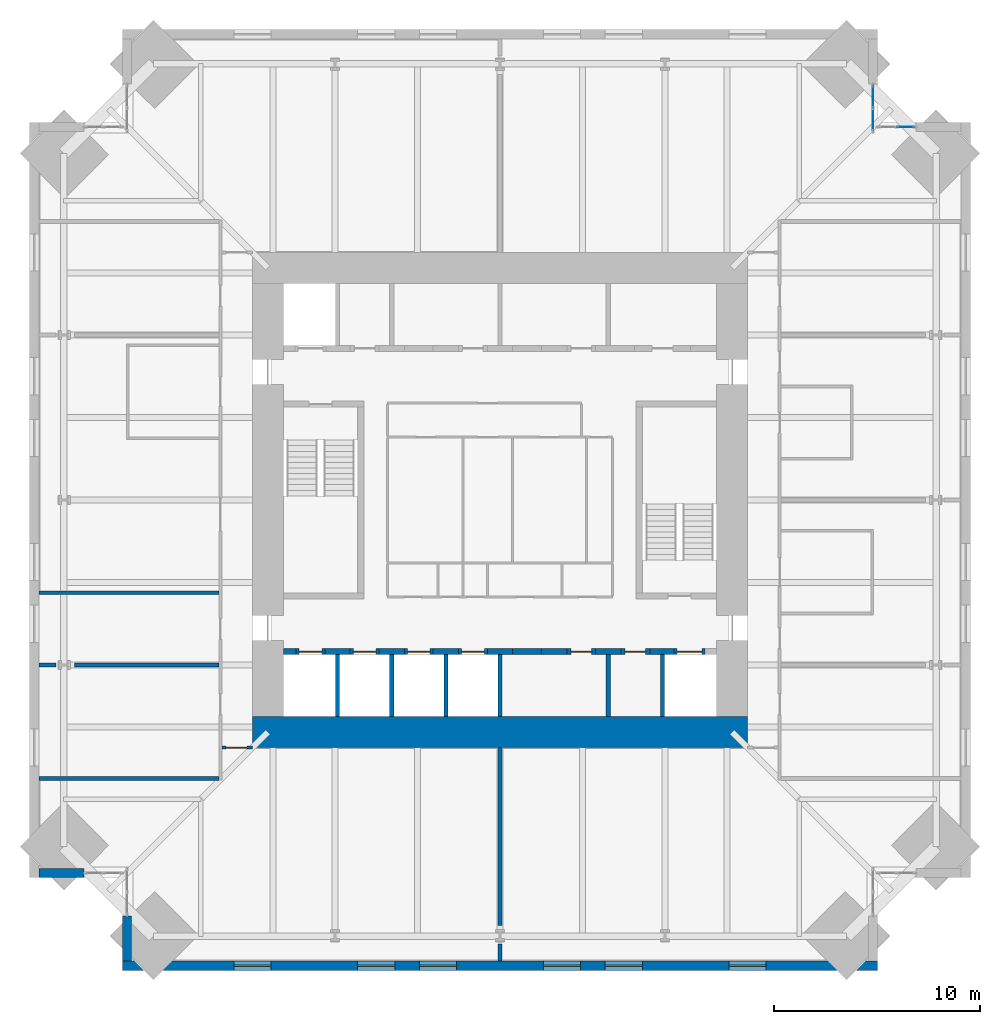
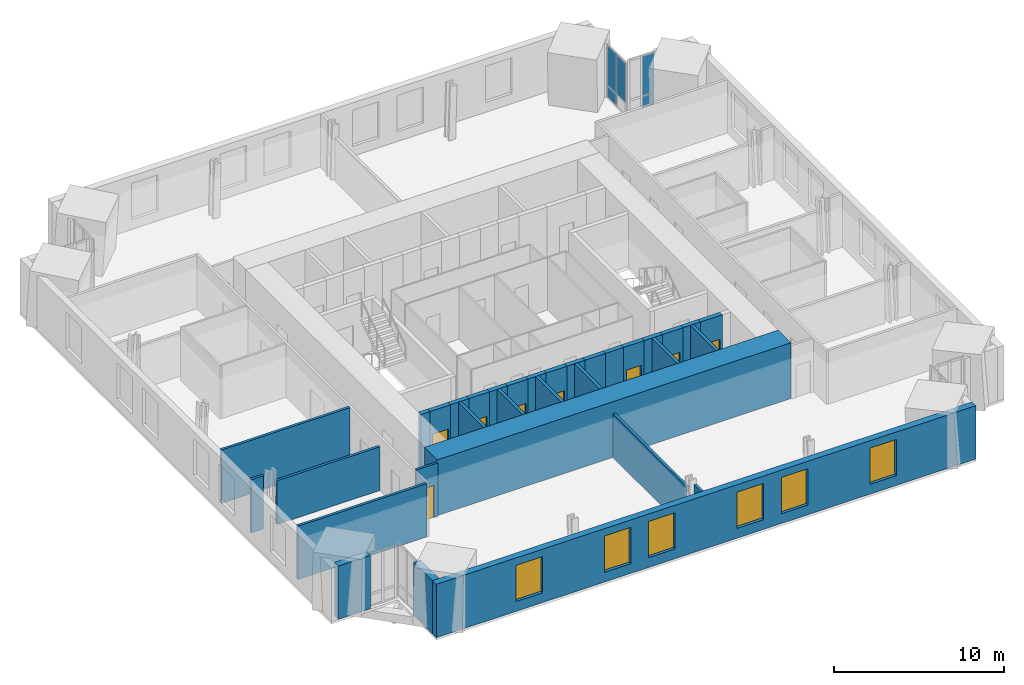
# One storey, part 10 of 15: 33 walls, 8 doors, 6 windows, 5 plates, 14 openings, 2 elements without a shape of their own.
"""IFC4 building model written with IfcOpenShell, lengths in metres."""

from ifc_helpers import new_model, si_unit, direction, frame, frame_2d, origin, origin_2d, place, context, subcontext, project, spatial, rectangle, extrude, material, layer, layer_set, type_object, element, fill, aggregate, save


model = new_model("IFC4")

# Units and contexts
model_context = context("Model", 3, precision=1e-05, world=origin(), true_north=direction((0.0, 1.0)))
body_context = subcontext(model_context, "Body", "Model", "MODEL_VIEW")
ifc_project = project(units=[si_unit("LENGTHUNIT", "METRE"), si_unit("AREAUNIT", "SQUARE_METRE"), si_unit("VOLUMEUNIT", "CUBIC_METRE"), si_unit("PLANEANGLEUNIT", "RADIAN"), si_unit("MASSUNIT", "GRAM", prefix="KILO")], contexts=[model_context])

# Site, building, storey
site_placement = place(None, origin())
site = spatial("IfcSite", under=ifc_project, at=site_placement, CompositionType="ELEMENT")
building_placement = place(site_placement, origin())
building = spatial("IfcBuilding", under=site, at=building_placement, Name="Peilmerk Tower", CompositionType="ELEMENT")
storey_placement = place(building_placement, frame((0.0, 0.0, 241.800048828125)))
storey = spatial("IfcBuildingStorey", under=building, at=storey_placement, Name="L53", CompositionType="ELEMENT", Elevation=241.800048828125)

# Curtain wall, plates
ifc_material_1 = material(Name="Aluminium stick curtain wall", Category="aluminium")
curtain_wall_type = type_object("IfcCurtainWallType", Name="CW4 stick curtain wall, 2250 module", PredefinedType="NOTDEFINED", material=ifc_material_1)
curtain_wall_1_placement = place(storey_placement, origin())
curtain_wall_1 = element("IfcCurtainWall", 1, at=curtain_wall_1_placement, inside=storey, type_object=curtain_wall_type, Name="Curtain wall CW4 NEA L53", PredefinedType="NOTDEFINED")
ifc_material_2 = material(Name="Clear insulated glazing unit", Category="glass")
ifc_layer_1 = layer(ifc_material_2, 0.028076171875)
ifc_layer_set_1 = layer_set([ifc_layer_1], Name="Clear insulated glazing unit")
plate_type = type_object("IfcPlateType", Name="CW4-P 28 glazed panel", PredefinedType="CURTAIN_PANEL", material=ifc_layer_set_1)
plate_1_placement = place(storey_placement, frame((18.074951171875, 18.4384765625, 0.932373046875), z_axis=(0.0, 0.0, 1.0), x_axis=(0.0, 1.0, 0.0)))
plate_1 = element("IfcPlate", 2, at=plate_1_placement, type_object=plate_type, Name="CW4 panel 1.2", PredefinedType="CURTAIN_PANEL", context=body_context, shape_type="SweptSolid", body=[
    extrude(rectangle(XDim=1.046875, YDim=0.028076171875, at=origin_2d()), origin(), (0.0, 0.0, 1.0), 2.83251953125),
])
plate_2_placement = place(storey_placement, frame((18.074951171875, 19.55029296875, 0.06494140625), z_axis=(0.0, 0.0, 1.0), x_axis=(0.0, 1.0, 0.0)))
plate_2 = element("IfcPlate", 3, at=plate_2_placement, type_object=plate_type, Name="CW4 panel 2.1", PredefinedType="CURTAIN_PANEL", context=body_context, shape_type="SweptSolid", body=[
    extrude(rectangle(XDim=1.046875, YDim=0.028076171875, at=origin_2d()), origin(), (0.0, 0.0, 1.0), 0.802490234375),
])
plate_3_placement = place(storey_placement, frame((18.074951171875, 19.55029296875, 0.932373046875), z_axis=(0.0, 0.0, 1.0), x_axis=(0.0, 1.0, 0.0)))
plate_3 = element("IfcPlate", 4, at=plate_3_placement, type_object=plate_type, Name="CW4 panel 2.2", PredefinedType="CURTAIN_PANEL", context=body_context, shape_type="SweptSolid", body=[
    extrude(rectangle(XDim=1.046875, YDim=0.028076171875, at=origin_2d()), origin(), (0.0, 0.0, 1.0), 2.83251953125),
])
aggregate(curtain_wall_1, [plate_1, plate_2, plate_3])

curtain_wall_2_placement = place(storey_placement, origin())
curtain_wall_2 = element("IfcCurtainWall", 5, at=curtain_wall_2_placement, inside=storey, type_object=curtain_wall_type, Name="Curtain wall CW4 NEB L53", PredefinedType="NOTDEFINED")
plate_4_placement = place(storey_placement, frame((19.662841796875, 18.074951171875, 0.06494140625), z_axis=(0.0, 0.0, 1.0), x_axis=(1.0, 0.0, 0.0)))
plate_4 = element("IfcPlate", 6, at=plate_4_placement, type_object=plate_type, Name="CW4 panel 2.1", PredefinedType="CURTAIN_PANEL", context=body_context, shape_type="SweptSolid", body=[
    extrude(rectangle(XDim=0.82177734375, YDim=0.028076171875, at=origin_2d()), origin(), (0.0, 0.0, 1.0), 0.802490234375),
])
plate_5_placement = place(storey_placement, frame((19.662841796875, 18.074951171875, 0.932373046875), z_axis=(0.0, 0.0, 1.0), x_axis=(1.0, 0.0, 0.0)))
plate_5 = element("IfcPlate", 7, at=plate_5_placement, type_object=plate_type, Name="CW4 panel 2.2", PredefinedType="CURTAIN_PANEL", context=body_context, shape_type="SweptSolid", body=[
    extrude(rectangle(XDim=0.82177734375, YDim=0.028076171875, at=origin_2d()), origin(), (0.0, 0.0, 1.0), 2.83251953125),
])
aggregate(curtain_wall_2, [plate_4, plate_5])

# Wall, openings, windows
ifc_material_3 = material(Name="Precast concrete C45/55, board-marked finish", Category="concrete")
ifc_layer_2 = layer(ifc_material_3, 0.449951171875)
ifc_layer_set_2 = layer_set([ifc_layer_2], Name="Precast concrete C45/55, board-marked finish")
wall_type_1 = type_object("IfcWallType", Name="EW1 450 precast concrete facade wall, board-marked", PredefinedType="SOLIDWALL", material=ifc_layer_set_2)
wall_1_placement = place(storey_placement, frame((-18.300048828125, -22.574951171875, 0.0), z_axis=(0.0, 0.0, 1.0), x_axis=(1.0, 0.0, 0.0)))
wall_1 = element("IfcWall", 8, at=wall_1_placement, inside=storey, type_object=wall_type_1, Name="Facade wall S L53", PredefinedType="SOLIDWALL", context=body_context, shape_type="SweptSolid", body=[
    extrude(rectangle(XDim=36.60009765625, YDim=0.449951171875, at=frame_2d((18.300048828125, 0.0))), origin(), (0.0, 0.0, 1.0), 3.829833984375),
])
opening_1_placement = place(wall_1_placement, frame((5.39990234375, 0.0, 0.699951171875)))
opening_1 = element("IfcOpeningElement", 9, at=opening_1_placement, cuts=wall_1, Name="Opening W1", PredefinedType="OPENING", context=body_context, shape_type="SweptSolid", body=[
    extrude(rectangle(XDim=1.800048828125, YDim=2.60009765625, at=frame_2d((0.89990234375, 1.300048828125))), frame((0.0, 0.23486328125, 0.0), z_axis=(0.0, -1.0, 0.0), x_axis=(1.0, 0.0, 0.0)), (0.0, 0.0, 1.0), 0.469970703125),
])
opening_2_placement = place(wall_1_placement, frame((11.39990234375, 0.0, 0.699951171875)))
opening_2 = element("IfcOpeningElement", 10, at=opening_2_placement, cuts=wall_1, Name="Opening W1", PredefinedType="OPENING", context=body_context, shape_type="SweptSolid", body=[
    extrude(rectangle(XDim=1.800048828125, YDim=2.60009765625, at=frame_2d((0.89990234375, 1.300048828125))), frame((0.0, 0.23486328125, 0.0), z_axis=(0.0, -1.0, 0.0), x_axis=(1.0, 0.0, 0.0)), (0.0, 0.0, 1.0), 0.469970703125),
])
opening_3_placement = place(wall_1_placement, frame((14.39990234375, 0.0, 0.699951171875)))
opening_3 = element("IfcOpeningElement", 11, at=opening_3_placement, cuts=wall_1, Name="Opening W1", PredefinedType="OPENING", context=body_context, shape_type="SweptSolid", body=[
    extrude(rectangle(XDim=1.800048828125, YDim=2.60009765625, at=frame_2d((0.89990234375, 1.300048828125))), frame((0.0, 0.23486328125, 0.0), z_axis=(0.0, -1.0, 0.0), x_axis=(1.0, 0.0, 0.0)), (0.0, 0.0, 1.0), 0.469970703125),
])
opening_4_placement = place(wall_1_placement, frame((20.39990234375, 0.0, 0.699951171875)))
opening_4 = element("IfcOpeningElement", 12, at=opening_4_placement, cuts=wall_1, Name="Opening W1", PredefinedType="OPENING", context=body_context, shape_type="SweptSolid", body=[
    extrude(rectangle(XDim=1.800048828125, YDim=2.60009765625, at=frame_2d((0.89990234375, 1.300048828125))), frame((0.0, 0.23486328125, 0.0), z_axis=(0.0, -1.0, 0.0), x_axis=(1.0, 0.0, 0.0)), (0.0, 0.0, 1.0), 0.469970703125),
])
opening_5_placement = place(wall_1_placement, frame((23.39990234375, 0.0, 0.699951171875)))
opening_5 = element("IfcOpeningElement", 13, at=opening_5_placement, cuts=wall_1, Name="Opening W1", PredefinedType="OPENING", context=body_context, shape_type="SweptSolid", body=[
    extrude(rectangle(XDim=1.800048828125, YDim=2.60009765625, at=frame_2d((0.89990234375, 1.300048828125))), frame((0.0, 0.23486328125, 0.0), z_axis=(0.0, -1.0, 0.0), x_axis=(1.0, 0.0, 0.0)), (0.0, 0.0, 1.0), 0.469970703125),
])
opening_6_placement = place(wall_1_placement, frame((29.39990234375, 0.0, 0.699951171875)))
opening_6 = element("IfcOpeningElement", 14, at=opening_6_placement, cuts=wall_1, Name="Opening W1", PredefinedType="OPENING", context=body_context, shape_type="SweptSolid", body=[
    extrude(rectangle(XDim=1.800048828125, YDim=2.60009765625, at=frame_2d((0.89990234375, 1.300048828125))), frame((0.0, 0.23486328125, 0.0), z_axis=(0.0, -1.0, 0.0), x_axis=(1.0, 0.0, 0.0)), (0.0, 0.0, 1.0), 0.469970703125),
])
ifc_material_4 = material(Name="Aluminium frame, clear double glazing", Category="aluminium")
window_type = type_object("IfcWindowType", Name="W1 1800x2600 office window", PartitioningType="SINGLE_PANEL", PredefinedType="WINDOW", material=ifc_material_4)
window_1_placement = place(opening_1_placement, origin())
window_1 = element("IfcWindow", 15, at=window_1_placement, inside=storey, type_object=window_type, Name="Window W1 L53", OverallHeight=2.60009765625, OverallWidth=1.800048828125, PartitioningType="SINGLE_PANEL", PredefinedType="WINDOW", context=body_context, shape_type="SweptSolid", body=[
    extrude(rectangle(XDim=1.800048828125, YDim=2.60009765625, at=frame_2d((0.89990234375, 1.300048828125))), frame((0.0, 0.030029296875, 0.0), z_axis=(0.0, -1.0, 0.0), x_axis=(1.0, 0.0, 0.0)), (0.0, 0.0, 1.0), 0.06005859375),
])
fill(opening_1, window_1)
window_2_placement = place(opening_2_placement, origin())
window_2 = element("IfcWindow", 16, at=window_2_placement, inside=storey, type_object=window_type, Name="Window W1 L53", OverallHeight=2.60009765625, OverallWidth=1.800048828125, PartitioningType="SINGLE_PANEL", PredefinedType="WINDOW", context=body_context, shape_type="SweptSolid", body=[
    extrude(rectangle(XDim=1.800048828125, YDim=2.60009765625, at=frame_2d((0.89990234375, 1.300048828125))), frame((0.0, 0.030029296875, 0.0), z_axis=(0.0, -1.0, 0.0), x_axis=(1.0, 0.0, 0.0)), (0.0, 0.0, 1.0), 0.06005859375),
])
fill(opening_2, window_2)
window_3_placement = place(opening_3_placement, origin())
window_3 = element("IfcWindow", 17, at=window_3_placement, inside=storey, type_object=window_type, Name="Window W1 L53", OverallHeight=2.60009765625, OverallWidth=1.800048828125, PartitioningType="SINGLE_PANEL", PredefinedType="WINDOW", context=body_context, shape_type="SweptSolid", body=[
    extrude(rectangle(XDim=1.800048828125, YDim=2.60009765625, at=frame_2d((0.89990234375, 1.300048828125))), frame((0.0, 0.030029296875, 0.0), z_axis=(0.0, -1.0, 0.0), x_axis=(1.0, 0.0, 0.0)), (0.0, 0.0, 1.0), 0.06005859375),
])
fill(opening_3, window_3)
window_4_placement = place(opening_4_placement, origin())
window_4 = element("IfcWindow", 18, at=window_4_placement, inside=storey, type_object=window_type, Name="Window W1 L53", OverallHeight=2.60009765625, OverallWidth=1.800048828125, PartitioningType="SINGLE_PANEL", PredefinedType="WINDOW", context=body_context, shape_type="SweptSolid", body=[
    extrude(rectangle(XDim=1.800048828125, YDim=2.60009765625, at=frame_2d((0.89990234375, 1.300048828125))), frame((0.0, 0.030029296875, 0.0), z_axis=(0.0, -1.0, 0.0), x_axis=(1.0, 0.0, 0.0)), (0.0, 0.0, 1.0), 0.06005859375),
])
fill(opening_4, window_4)
window_5_placement = place(opening_5_placement, origin())
window_5 = element("IfcWindow", 19, at=window_5_placement, inside=storey, type_object=window_type, Name="Window W1 L53", OverallHeight=2.60009765625, OverallWidth=1.800048828125, PartitioningType="SINGLE_PANEL", PredefinedType="WINDOW", context=body_context, shape_type="SweptSolid", body=[
    extrude(rectangle(XDim=1.800048828125, YDim=2.60009765625, at=frame_2d((0.89990234375, 1.300048828125))), frame((0.0, 0.030029296875, 0.0), z_axis=(0.0, -1.0, 0.0), x_axis=(1.0, 0.0, 0.0)), (0.0, 0.0, 1.0), 0.06005859375),
])
fill(opening_5, window_5)
window_6_placement = place(opening_6_placement, origin())
window_6 = element("IfcWindow", 20, at=window_6_placement, inside=storey, type_object=window_type, Name="Window W1 L53", OverallHeight=2.60009765625, OverallWidth=1.800048828125, PartitioningType="SINGLE_PANEL", PredefinedType="WINDOW", context=body_context, shape_type="SweptSolid", body=[
    extrude(rectangle(XDim=1.800048828125, YDim=2.60009765625, at=frame_2d((0.89990234375, 1.300048828125))), frame((0.0, 0.030029296875, 0.0), z_axis=(0.0, -1.0, 0.0), x_axis=(1.0, 0.0, 0.0)), (0.0, 0.0, 1.0), 0.06005859375),
])
fill(opening_6, window_6)

# Walls
for number, where, z_axis, x_axis, name in (
    (21, (-18.074951171875, -20.153564453125, 0.0), (0.0, 0.0, 1.0), (0.0, -1.0, 0.0), "Facade wall SWA L53"),
    (22, (-20.153564453125, -18.074951171875, 0.0), (0.0, 0.0, 1.0), (-1.0, 0.0, 0.0), "Facade wall SWB L53"),
):
    element("IfcWall", number, at=place(storey_placement, frame(where, z_axis=z_axis, x_axis=x_axis)), inside=storey, type_object=wall_type_1, Name=name, PredefinedType="SOLIDWALL", context=body_context, shape_type="SweptSolid", body=[
        extrude(rectangle(XDim=2.196533203125, YDim=0.449951171875, at=frame_2d((1.09814453125, 0.0))), origin(), (0.0, 0.0, 1.0), 3.829833984375),
    ])

# Wall, opening, door
ifc_material_5 = material(Name="Calcium silicate block", Category="masonry")
ifc_layer_3 = layer(ifc_material_5, 0.14990234375)
ifc_layer_set_3 = layer_set([ifc_layer_3], Name="Calcium silicate block")
wall_type_2 = type_object("IfcWallType", Name="IW1 150 corridor partition, EI 60", PredefinedType="PARTITIONING", material=ifc_layer_set_3)
wall_2_placement = place(storey_placement, frame((-12.0, -12.0, 0.0), z_axis=(0.0, 0.0, 1.0), x_axis=(-1.0, 0.0, 0.0)))
wall_2 = element("IfcWall", 23, at=wall_2_placement, inside=storey, type_object=wall_type_2, Name="Corridor wall SW L53", PredefinedType="PARTITIONING", context=body_context, shape_type="SweptSolid", body=[
    extrude(rectangle(XDim=1.47509765625, YDim=0.14990234375, at=frame_2d((0.737548828125, 0.0))), origin(), (0.0, 0.0, 1.0), 3.829833984375),
])
opening_7_placement = place(wall_2_placement, frame((0.27490234375, 0.0, 0.0)))
opening_7 = element("IfcOpeningElement", 24, at=opening_7_placement, cuts=wall_2, Name="Opening D1", PredefinedType="OPENING", context=body_context, shape_type="SweptSolid", body=[
    extrude(rectangle(XDim=1.0, YDim=2.300048828125, at=frame_2d((0.5, 1.14990234375))), frame((0.0, 0.0849609375, 0.0), z_axis=(0.0, -1.0, 0.0), x_axis=(1.0, 0.0, 0.0)), (0.0, 0.0, 1.0), 0.169921875),
])
ifc_material_6 = material(Name="Timber door in steel frame", Category="steel")
door_type_1 = type_object("IfcDoorType", Name="D1 1000x2300 room door, EI2 30", OperationType="SINGLE_SWING_LEFT", PredefinedType="DOOR", material=ifc_material_6)
door_1_placement = place(opening_7_placement, origin())
door_1 = element("IfcDoor", 25, at=door_1_placement, inside=storey, type_object=door_type_1, Name="Door Open workspace L53", OperationType="SINGLE_SWING_LEFT", OverallHeight=2.300048828125, OverallWidth=1.0, PredefinedType="DOOR", context=body_context, shape_type="SweptSolid", body=[
    extrude(rectangle(XDim=1.0, YDim=2.300048828125, at=frame_2d((0.5, 1.14990234375))), frame((0.0, 0.02490234375, 0.0), z_axis=(0.0, -1.0, 0.0), x_axis=(1.0, 0.0, 0.0)), (0.0, 0.0, 1.0), 0.050048828125),
])
fill(opening_7, door_1)

# Walls
ifc_layer_4 = layer(ifc_material_5, 0.175048828125)
ifc_layer_set_4 = layer_set([ifc_layer_4], Name="Calcium silicate block")
wall_type_3 = type_object("IfcWallType", Name="IW8 175 tenant separating wall, EI 60", PredefinedType="PARTITIONING", material=ifc_layer_set_4)
wall_3_placement = place(storey_placement, frame((-13.625, -13.5, 0.0), z_axis=(0.0, 0.0, 1.0), x_axis=(-1.0, 0.0, 0.0)))
element("IfcWall", 26, at=wall_3_placement, inside=storey, type_object=wall_type_3, Name="Tenant separating wall SW L53", PredefinedType="PARTITIONING", context=body_context, shape_type="SweptSolid", body=[
    extrude(rectangle(XDim=8.72509765625, YDim=0.175048828125, at=frame_2d((4.362548828125, 0.0))), origin(), (0.0, 0.0, 1.0), 3.829833984375),
])
wall_4_placement = place(storey_placement, frame((0.0, -12.0, 0.0), z_axis=(0.0, 0.0, 1.0), x_axis=(0.0, -1.0, 0.0)))
element("IfcWall", 27, at=wall_4_placement, inside=storey, type_object=wall_type_3, Name="Tenant separating wall S1 L53", PredefinedType="PARTITIONING", context=body_context, shape_type="SweptSolid", body=[
    extrude(rectangle(XDim=8.62158203125, YDim=0.175048828125, at=frame_2d((4.310791015625, 0.0))), origin(), (0.0, 0.0, 1.0), 3.139892578125),
])
wall_5_placement = place(storey_placement, frame((0.0, -21.5107421875, 0.0), z_axis=(0.0, 0.0, 1.0), x_axis=(0.0, -1.0, 0.0)))
element("IfcWall", 28, at=wall_5_placement, inside=storey, type_object=wall_type_3, Name="Tenant separating wall S1b L53", PredefinedType="PARTITIONING", context=body_context, shape_type="SweptSolid", body=[
    extrude(rectangle(XDim=0.83935546875, YDim=0.175048828125, at=frame_2d((0.419677734375, 0.0))), origin(), (0.0, 0.0, 1.0), 3.829833984375),
])
wall_6_placement = place(storey_placement, frame((-13.625, -8.0, 0.0), z_axis=(0.0, 0.0, 1.0), x_axis=(-1.0, 0.0, 0.0)))
element("IfcWall", 29, at=wall_6_placement, inside=storey, type_object=wall_type_3, Name="Tenant separating wall W1 L53", PredefinedType="PARTITIONING", context=body_context, shape_type="SweptSolid", body=[
    extrude(rectangle(XDim=6.99658203125, YDim=0.175048828125, at=frame_2d((3.498291015625, 0.0))), origin(), (0.0, 0.0, 1.0), 3.139892578125),
])
wall_7_placement = place(storey_placement, frame((-21.5107421875, -8.0, 0.0), z_axis=(0.0, 0.0, 1.0), x_axis=(-1.0, 0.0, 0.0)))
element("IfcWall", 30, at=wall_7_placement, inside=storey, type_object=wall_type_3, Name="Tenant separating wall W1b L53", PredefinedType="PARTITIONING", context=body_context, shape_type="SweptSolid", body=[
    extrude(rectangle(XDim=0.83935546875, YDim=0.175048828125, at=frame_2d((0.419677734375, 0.0))), origin(), (0.0, 0.0, 1.0), 3.829833984375),
])
wall_8_placement = place(storey_placement, frame((-13.625, -4.5, 0.0), z_axis=(0.0, 0.0, 1.0), x_axis=(-1.0, 0.0, 0.0)))
element("IfcWall", 31, at=wall_8_placement, inside=storey, type_object=wall_type_3, Name="Tenant separating wall W2 L53", PredefinedType="PARTITIONING", context=body_context, shape_type="SweptSolid", body=[
    extrude(rectangle(XDim=8.72509765625, YDim=0.175048828125, at=frame_2d((4.362548828125, 0.0))), origin(), (0.0, 0.0, 1.0), 3.829833984375),
])
ifc_layer_5 = layer(ifc_material_5, 0.199951171875)
ifc_layer_set_5 = layer_set([ifc_layer_5], Name="Calcium silicate block")
wall_type_4 = type_object("IfcWallType", Name="SH1 200 shaft dividing wall, EI 120", PredefinedType="PARTITIONING", material=ifc_layer_set_5)
for number, where, z_axis, x_axis, name in (
    (32, (-7.875, -10.5, 0.0), (0.0, 0.0, 1.0), (0.0, 1.0, 0.0), "Shaft wall S C4 L53"),
    (33, (-5.25, -10.5, 0.0), (0.0, 0.0, 1.0), (0.0, 1.0, 0.0), "Shaft wall S C3 L53"),
    (34, (-2.625, -10.5, 0.0), (0.0, 0.0, 1.0), (0.0, 1.0, 0.0), "Shaft wall S C2 L53"),
    (35, (0.0, -10.5, 0.0), (0.0, 0.0, 1.0), (0.0, 1.0, 0.0), "Shaft wall S C1 L53"),
    (36, (5.25, -10.5, 0.0), (0.0, 0.0, 1.0), (0.0, 1.0, 0.0), "Shaft wall S B2 L53"),
    (37, (7.875, -10.5, 0.0), (0.0, 0.0, 1.0), (0.0, 1.0, 0.0), "Shaft wall S B1 L53"),
):
    element("IfcWall", number, at=place(storey_placement, frame(where, z_axis=z_axis, x_axis=x_axis)), inside=storey, type_object=wall_type_4, Name=name, PredefinedType="PARTITIONING", context=body_context, shape_type="SweptSolid", body=[
        extrude(rectangle(XDim=3.0, YDim=0.199951171875, at=frame_2d((1.5, 0.0))), origin(), (0.0, 0.0, 1.0), 4.0),
    ])

# Wall, opening, door
ifc_layer_6 = layer(ifc_material_5, 0.300048828125)
ifc_layer_set_6 = layer_set([ifc_layer_6], Name="Calcium silicate block")
wall_type_5 = type_object("IfcWallType", Name="SH2 300 lift landing door panel, EI 120", PredefinedType="PARTITIONING", material=ifc_layer_set_6)
wall_9_placement = place(storey_placement, frame((-9.887451171875, -7.35009765625, 0.0), z_axis=(0.0, 0.0, 1.0), x_axis=(1.0, 0.0, 0.0)))
wall_9 = element("IfcWall", 38, at=wall_9_placement, inside=storey, type_object=wall_type_5, Name="Lift door panel S C4 L53", PredefinedType="PARTITIONING", context=body_context, shape_type="SweptSolid", body=[
    extrude(rectangle(XDim=1.39990234375, YDim=0.300048828125, at=frame_2d((0.699951171875, 0.0))), origin(), (0.0, 0.0, 1.0), 4.0),
])
opening_8_placement = place(wall_9_placement, frame((0.14990234375, 0.0, 0.0)))
opening_8 = element("IfcOpeningElement", 39, at=opening_8_placement, cuts=wall_9, Name="Opening LD1", PredefinedType="OPENING", context=body_context, shape_type="SweptSolid", body=[
    extrude(rectangle(XDim=1.10009765625, YDim=2.300048828125, at=frame_2d((0.550048828125, 1.14990234375))), frame((0.0, 0.159912109375, 0.0), z_axis=(0.0, -1.0, 0.0), x_axis=(1.0, 0.0, 0.0)), (0.0, 0.0, 1.0), 0.320068359375),
])
ifc_material_7 = material(Name="Stainless steel landing door", Category="steel")
door_type_2 = type_object("IfcDoorType", Name="LD1 1100x2300 lift landing door, sliding, EI2 60", OperationType="SLIDING_TO_LEFT", PredefinedType="DOOR", material=ifc_material_7)
door_2_placement = place(opening_8_placement, origin())
door_2 = element("IfcDoor", 40, at=door_2_placement, inside=storey, type_object=door_type_2, Name="Lift landing door C4 L53", OperationType="SLIDING_TO_LEFT", OverallHeight=2.300048828125, OverallWidth=1.10009765625, PredefinedType="DOOR", context=body_context, shape_type="SweptSolid", body=[
    extrude(rectangle(XDim=1.10009765625, YDim=2.300048828125, at=frame_2d((0.550048828125, 1.14990234375))), frame((0.0, 0.02490234375, 0.0), z_axis=(0.0, -1.0, 0.0), x_axis=(1.0, 0.0, 0.0)), (0.0, 0.0, 1.0), 0.050048828125),
])
fill(opening_8, door_2)

wall_10_placement = place(storey_placement, frame((-7.262451171875, -7.35009765625, 0.0), z_axis=(0.0, 0.0, 1.0), x_axis=(1.0, 0.0, 0.0)))
wall_10 = element("IfcWall", 41, at=wall_10_placement, inside=storey, type_object=wall_type_5, Name="Lift door panel S C3 L53", PredefinedType="PARTITIONING", context=body_context, shape_type="SweptSolid", body=[
    extrude(rectangle(XDim=1.39990234375, YDim=0.300048828125, at=frame_2d((0.699951171875, 0.0))), origin(), (0.0, 0.0, 1.0), 4.0),
])
opening_9_placement = place(wall_10_placement, frame((0.14990234375, 0.0, 0.0)))
opening_9 = element("IfcOpeningElement", 42, at=opening_9_placement, cuts=wall_10, Name="Opening LD1", PredefinedType="OPENING", context=body_context, shape_type="SweptSolid", body=[
    extrude(rectangle(XDim=1.10009765625, YDim=2.300048828125, at=frame_2d((0.550048828125, 1.14990234375))), frame((0.0, 0.159912109375, 0.0), z_axis=(0.0, -1.0, 0.0), x_axis=(1.0, 0.0, 0.0)), (0.0, 0.0, 1.0), 0.320068359375),
])
door_3_placement = place(opening_9_placement, origin())
door_3 = element("IfcDoor", 43, at=door_3_placement, inside=storey, type_object=door_type_2, Name="Lift landing door C3 L53", OperationType="SLIDING_TO_LEFT", OverallHeight=2.300048828125, OverallWidth=1.10009765625, PredefinedType="DOOR", context=body_context, shape_type="SweptSolid", body=[
    extrude(rectangle(XDim=1.10009765625, YDim=2.300048828125, at=frame_2d((0.550048828125, 1.14990234375))), frame((0.0, 0.02490234375, 0.0), z_axis=(0.0, -1.0, 0.0), x_axis=(1.0, 0.0, 0.0)), (0.0, 0.0, 1.0), 0.050048828125),
])
fill(opening_9, door_3)

wall_11_placement = place(storey_placement, frame((-4.637451171875, -7.35009765625, 0.0), z_axis=(0.0, 0.0, 1.0), x_axis=(1.0, 0.0, 0.0)))
wall_11 = element("IfcWall", 44, at=wall_11_placement, inside=storey, type_object=wall_type_5, Name="Lift door panel S C2 L53", PredefinedType="PARTITIONING", context=body_context, shape_type="SweptSolid", body=[
    extrude(rectangle(XDim=1.39990234375, YDim=0.300048828125, at=frame_2d((0.699951171875, 0.0))), origin(), (0.0, 0.0, 1.0), 4.0),
])
opening_10_placement = place(wall_11_placement, frame((0.14990234375, 0.0, 0.0)))
opening_10 = element("IfcOpeningElement", 45, at=opening_10_placement, cuts=wall_11, Name="Opening LD1", PredefinedType="OPENING", context=body_context, shape_type="SweptSolid", body=[
    extrude(rectangle(XDim=1.10009765625, YDim=2.300048828125, at=frame_2d((0.550048828125, 1.14990234375))), frame((0.0, 0.159912109375, 0.0), z_axis=(0.0, -1.0, 0.0), x_axis=(1.0, 0.0, 0.0)), (0.0, 0.0, 1.0), 0.320068359375),
])
door_4_placement = place(opening_10_placement, origin())
door_4 = element("IfcDoor", 46, at=door_4_placement, inside=storey, type_object=door_type_2, Name="Lift landing door C2 L53", OperationType="SLIDING_TO_LEFT", OverallHeight=2.300048828125, OverallWidth=1.10009765625, PredefinedType="DOOR", context=body_context, shape_type="SweptSolid", body=[
    extrude(rectangle(XDim=1.10009765625, YDim=2.300048828125, at=frame_2d((0.550048828125, 1.14990234375))), frame((0.0, 0.02490234375, 0.0), z_axis=(0.0, -1.0, 0.0), x_axis=(1.0, 0.0, 0.0)), (0.0, 0.0, 1.0), 0.050048828125),
])
fill(opening_10, door_4)

wall_12_placement = place(storey_placement, frame((-2.012451171875, -7.35009765625, 0.0), z_axis=(0.0, 0.0, 1.0), x_axis=(1.0, 0.0, 0.0)))
wall_12 = element("IfcWall", 47, at=wall_12_placement, inside=storey, type_object=wall_type_5, Name="Lift door panel S C1 L53", PredefinedType="PARTITIONING", context=body_context, shape_type="SweptSolid", body=[
    extrude(rectangle(XDim=1.39990234375, YDim=0.300048828125, at=frame_2d((0.699951171875, 0.0))), origin(), (0.0, 0.0, 1.0), 4.0),
])
opening_11_placement = place(wall_12_placement, frame((0.14990234375, 0.0, 0.0)))
opening_11 = element("IfcOpeningElement", 48, at=opening_11_placement, cuts=wall_12, Name="Opening LD1", PredefinedType="OPENING", context=body_context, shape_type="SweptSolid", body=[
    extrude(rectangle(XDim=1.10009765625, YDim=2.300048828125, at=frame_2d((0.550048828125, 1.14990234375))), frame((0.0, 0.159912109375, 0.0), z_axis=(0.0, -1.0, 0.0), x_axis=(1.0, 0.0, 0.0)), (0.0, 0.0, 1.0), 0.320068359375),
])
door_5_placement = place(opening_11_placement, origin())
door_5 = element("IfcDoor", 49, at=door_5_placement, inside=storey, type_object=door_type_2, Name="Lift landing door C1 L53", OperationType="SLIDING_TO_LEFT", OverallHeight=2.300048828125, OverallWidth=1.10009765625, PredefinedType="DOOR", context=body_context, shape_type="SweptSolid", body=[
    extrude(rectangle(XDim=1.10009765625, YDim=2.300048828125, at=frame_2d((0.550048828125, 1.14990234375))), frame((0.0, 0.02490234375, 0.0), z_axis=(0.0, -1.0, 0.0), x_axis=(1.0, 0.0, 0.0)), (0.0, 0.0, 1.0), 0.050048828125),
])
fill(opening_11, door_5)

# Wall
wall_13_placement = place(storey_placement, frame((0.612548828125, -7.35009765625, 0.0), z_axis=(0.0, 0.0, 1.0), x_axis=(1.0, 0.0, 0.0)))
element("IfcWall", 50, at=wall_13_placement, inside=storey, type_object=wall_type_5, Name="Lift door panel S B3 L53", PredefinedType="PARTITIONING", context=body_context, shape_type="SweptSolid", body=[
    extrude(rectangle(XDim=1.39990234375, YDim=0.300048828125, at=frame_2d((0.699951171875, 0.0))), origin(), (0.0, 0.0, 1.0), 4.0),
])

# Wall, opening, door
wall_14_placement = place(storey_placement, frame((3.237548828125, -7.35009765625, 0.0), z_axis=(0.0, 0.0, 1.0), x_axis=(1.0, 0.0, 0.0)))
wall_14 = element("IfcWall", 51, at=wall_14_placement, inside=storey, type_object=wall_type_5, Name="Lift door panel S B2 L53", PredefinedType="PARTITIONING", context=body_context, shape_type="SweptSolid", body=[
    extrude(rectangle(XDim=1.39990234375, YDim=0.300048828125, at=frame_2d((0.699951171875, 0.0))), origin(), (0.0, 0.0, 1.0), 4.0),
])
opening_12_placement = place(wall_14_placement, frame((0.199951171875, 0.0, 0.0)))
opening_12 = element("IfcOpeningElement", 52, at=opening_12_placement, cuts=wall_14, Name="Opening D10", PredefinedType="OPENING", context=body_context, shape_type="SweptSolid", body=[
    extrude(rectangle(XDim=1.0, YDim=2.300048828125, at=frame_2d((0.5, 1.14990234375))), frame((0.0, 0.159912109375, 0.0), z_axis=(0.0, -1.0, 0.0), x_axis=(1.0, 0.0, 0.0)), (0.0, 0.0, 1.0), 0.320068359375),
])
ifc_material_8 = material(Name="Steel door in steel frame", Category="steel")
door_type_3 = type_object("IfcDoorType", Name="D10 1000x2300 core room door, EI2 60", OperationType="SINGLE_SWING_RIGHT", PredefinedType="DOOR", material=ifc_material_8)
door_6_placement = place(opening_12_placement, frame((1.0, 0.0, 0.0), z_axis=(0.0, 0.0, 1.0), x_axis=(-1.0, 0.0, 0.0)))
door_6 = element("IfcDoor", 53, at=door_6_placement, inside=storey, type_object=door_type_3, Name="Door Staff room L53", OperationType="SINGLE_SWING_RIGHT", OverallHeight=2.300048828125, OverallWidth=1.0, PredefinedType="DOOR", context=body_context, shape_type="SweptSolid", body=[
    extrude(rectangle(XDim=1.0, YDim=2.300048828125, at=frame_2d((0.5, 1.14990234375))), frame((0.0, 0.02490234375, 0.0), z_axis=(0.0, -1.0, 0.0), x_axis=(1.0, 0.0, 0.0)), (0.0, 0.0, 1.0), 0.050048828125),
])
fill(opening_12, door_6)

wall_15_placement = place(storey_placement, frame((5.862548828125, -7.35009765625, 0.0), z_axis=(0.0, 0.0, 1.0), x_axis=(1.0, 0.0, 0.0)))
wall_15 = element("IfcWall", 54, at=wall_15_placement, inside=storey, type_object=wall_type_5, Name="Lift door panel S B1 L53", PredefinedType="PARTITIONING", context=body_context, shape_type="SweptSolid", body=[
    extrude(rectangle(XDim=1.39990234375, YDim=0.300048828125, at=frame_2d((0.699951171875, 0.0))), origin(), (0.0, 0.0, 1.0), 4.0),
])
opening_13_placement = place(wall_15_placement, frame((0.199951171875, 0.0, 0.0)))
opening_13 = element("IfcOpeningElement", 55, at=opening_13_placement, cuts=wall_15, Name="Opening D10", PredefinedType="OPENING", context=body_context, shape_type="SweptSolid", body=[
    extrude(rectangle(XDim=1.0, YDim=2.300048828125, at=frame_2d((0.5, 1.14990234375))), frame((0.0, 0.159912109375, 0.0), z_axis=(0.0, -1.0, 0.0), x_axis=(1.0, 0.0, 0.0)), (0.0, 0.0, 1.0), 0.320068359375),
])
door_7_placement = place(opening_13_placement, frame((1.0, 0.0, 0.0), z_axis=(0.0, 0.0, 1.0), x_axis=(-1.0, 0.0, 0.0)))
door_7 = element("IfcDoor", 56, at=door_7_placement, inside=storey, type_object=door_type_3, Name="Door IT room L53", OperationType="SINGLE_SWING_RIGHT", OverallHeight=2.300048828125, OverallWidth=1.0, PredefinedType="DOOR", context=body_context, shape_type="SweptSolid", body=[
    extrude(rectangle(XDim=1.0, YDim=2.300048828125, at=frame_2d((0.5, 1.14990234375))), frame((0.0, 0.02490234375, 0.0), z_axis=(0.0, -1.0, 0.0), x_axis=(1.0, 0.0, 0.0)), (0.0, 0.0, 1.0), 0.050048828125),
])
fill(opening_13, door_7)

wall_16_placement = place(storey_placement, frame((8.4375, -7.35009765625, 0.0), z_axis=(0.0, 0.0, 1.0), x_axis=(1.0, 0.0, 0.0)))
wall_16 = element("IfcWall", 57, at=wall_16_placement, inside=storey, type_object=wall_type_5, Name="Lift door panel S FL2 L53", PredefinedType="PARTITIONING", context=body_context, shape_type="SweptSolid", body=[
    extrude(rectangle(XDim=1.5, YDim=0.300048828125, at=frame_2d((0.75, 0.0))), origin(), (0.0, 0.0, 1.0), 4.0),
])
opening_14_placement = place(wall_16_placement, frame((0.14990234375, 0.0, 0.0)))
opening_14 = element("IfcOpeningElement", 58, at=opening_14_placement, cuts=wall_16, Name="Opening LD2", PredefinedType="OPENING", context=body_context, shape_type="SweptSolid", body=[
    extrude(rectangle(XDim=1.199951171875, YDim=2.300048828125, at=frame_2d((0.60009765625, 1.14990234375))), frame((0.0, 0.159912109375, 0.0), z_axis=(0.0, -1.0, 0.0), x_axis=(1.0, 0.0, 0.0)), (0.0, 0.0, 1.0), 0.320068359375),
])
door_type_4 = type_object("IfcDoorType", Name="LD2 1200x2300 lift landing door, sliding, EI2 60", OperationType="SLIDING_TO_LEFT", PredefinedType="DOOR", material=ifc_material_7)
door_8_placement = place(opening_14_placement, origin())
door_8 = element("IfcDoor", 59, at=door_8_placement, inside=storey, type_object=door_type_4, Name="Lift landing door FL2 L53", OperationType="SLIDING_TO_LEFT", OverallHeight=2.300048828125, OverallWidth=1.199951171875, PredefinedType="DOOR", context=body_context, shape_type="SweptSolid", body=[
    extrude(rectangle(XDim=1.199951171875, YDim=2.300048828125, at=frame_2d((0.60009765625, 1.14990234375))), frame((0.0, 0.02490234375, 0.0), z_axis=(0.0, -1.0, 0.0), x_axis=(1.0, 0.0, 0.0)), (0.0, 0.0, 1.0), 0.050048828125),
])
fill(opening_14, door_8)

# Walls
ifc_material_9 = material(Name="Concrete C55/67", Category="concrete")
ifc_layer_7 = layer(ifc_material_9, 1.5)
ifc_layer_set_7 = layer_set([ifc_layer_7], Name="Concrete C55/67")
wall_type_6 = type_object("IfcWallType", Name="SW1 1500 core wall", PredefinedType="SHEAR", material=ifc_layer_set_7)
wall_17_placement = place(storey_placement, frame((12.0, -11.25, 0.0), z_axis=(0.0, 0.0, 1.0), x_axis=(-1.0, 0.0, 0.0)))
element("IfcWall", 60, at=wall_17_placement, inside=storey, type_object=wall_type_6, Name="Core wall S L53", PredefinedType="SHEAR", context=body_context, shape_type="SweptSolid", body=[
    extrude(rectangle(XDim=24.0, YDim=1.5, at=frame_2d((12.0, 0.0))), origin(), (0.0, 0.0, 1.0), 4.0),
])
ifc_layer_8 = layer(ifc_material_9, 0.300048828125)
ifc_layer_set_8 = layer_set([ifc_layer_8], Name="Concrete C55/67")
wall_type_7 = type_object("IfcWallType", Name="SW2 300 lift bank pier", PredefinedType="SHEAR", material=ifc_layer_set_8)
wall_18_placement = place(storey_placement, frame((-10.5, -7.35009765625, 0.0), z_axis=(0.0, 0.0, 1.0), x_axis=(1.0, 0.0, 0.0)))
element("IfcWall", 61, at=wall_18_placement, inside=storey, type_object=wall_type_7, Name="Lift bank pier S L53", PredefinedType="SHEAR", context=body_context, shape_type="SweptSolid", body=[
    extrude(rectangle(XDim=0.612548828125, YDim=0.300048828125, at=frame_2d((0.30615234375, 0.0))), origin(), (0.0, 0.0, 1.0), 4.0),
])
for number, where, z_axis, x_axis, name in (
    (62, (-8.487548828125, -7.35009765625, 0.0), (0.0, 0.0, 1.0), (1.0, 0.0, 0.0), "Lift bank pier S L53"),
    (63, (-5.862548828125, -7.35009765625, 0.0), (0.0, 0.0, 1.0), (1.0, 0.0, 0.0), "Lift bank pier S L53"),
    (64, (-3.237548828125, -7.35009765625, 0.0), (0.0, 0.0, 1.0), (1.0, 0.0, 0.0), "Lift bank pier S L53"),
    (65, (-0.612548828125, -7.35009765625, 0.0), (0.0, 0.0, 1.0), (1.0, 0.0, 0.0), "Lift bank pier S L53"),
    (66, (2.012451171875, -7.35009765625, 0.0), (0.0, 0.0, 1.0), (1.0, 0.0, 0.0), "Lift bank pier S L53"),
    (67, (4.637451171875, -7.35009765625, 0.0), (0.0, 0.0, 1.0), (1.0, 0.0, 0.0), "Lift bank pier S L53"),
):
    element("IfcWall", number, at=place(storey_placement, frame(where, z_axis=z_axis, x_axis=x_axis)), inside=storey, type_object=wall_type_7, Name=name, PredefinedType="SHEAR", context=body_context, shape_type="SweptSolid", body=[
        extrude(rectangle(XDim=1.22509765625, YDim=0.300048828125, at=frame_2d((0.612548828125, 0.0))), origin(), (0.0, 0.0, 1.0), 4.0),
    ])
wall_19_placement = place(storey_placement, frame((7.262451171875, -7.35009765625, 0.0), z_axis=(0.0, 0.0, 1.0), x_axis=(1.0, 0.0, 0.0)))
element("IfcWall", 68, at=wall_19_placement, inside=storey, type_object=wall_type_7, Name="Lift bank pier S L53", PredefinedType="SHEAR", context=body_context, shape_type="SweptSolid", body=[
    extrude(rectangle(XDim=1.175048828125, YDim=0.300048828125, at=frame_2d((0.58740234375, 0.0))), origin(), (0.0, 0.0, 1.0), 4.0),
])

save(model, "model.ifc")
